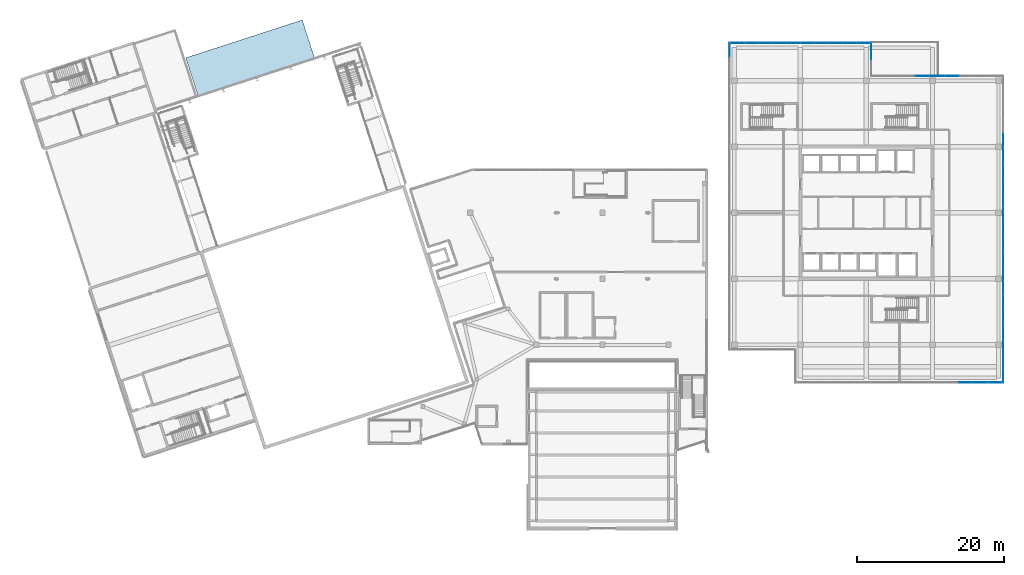
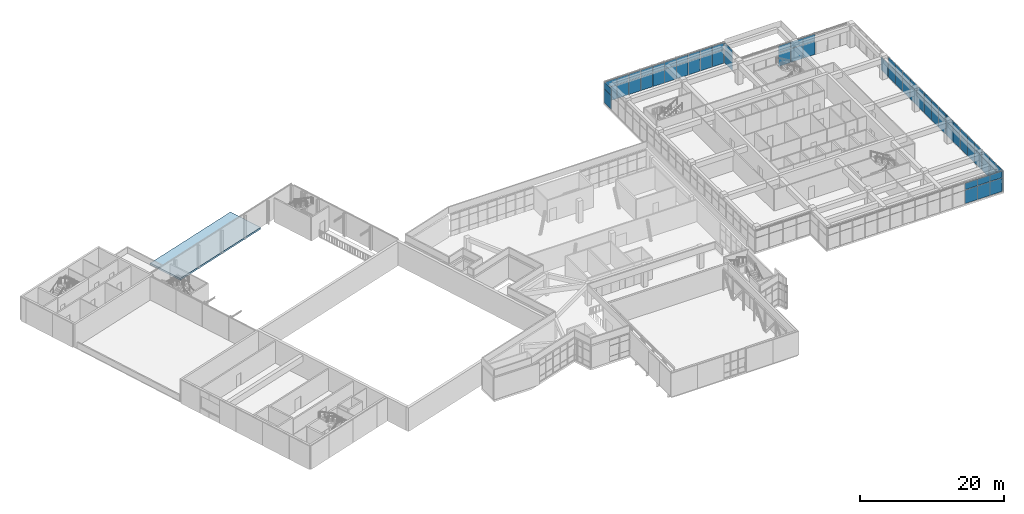
# One storey, part 58 of 72: 69 plates, 1 slab, 6 elements without a shape of their own.
"""IFC4 building model written with IfcOpenShell, lengths in metres."""

from ifc_helpers import new_model, si_unit, direction, frame, origin, origin_2d, place, context, subcontext, project, spatial, polyline, rectangle, outline, extrude, material, layer, layer_set, type_object, element, aggregate, save


model = new_model("IFC4")

# Units and contexts
model_context = context("Model", 3, precision=1e-05, world=origin(), true_north=direction((0.0, 1.0)))
body_context = subcontext(model_context, "Body", "Model", "MODEL_VIEW")
ifc_project = project(units=[si_unit("LENGTHUNIT", "METRE"), si_unit("AREAUNIT", "SQUARE_METRE"), si_unit("VOLUMEUNIT", "CUBIC_METRE"), si_unit("PLANEANGLEUNIT", "RADIAN"), si_unit("MASSUNIT", "GRAM", prefix="KILO")], contexts=[model_context])

# Site, building, storey
site_placement = place(None, origin())
site = spatial("IfcSite", under=ifc_project, at=site_placement, CompositionType="ELEMENT")
building_placement = place(site_placement, origin())
building = spatial("IfcBuilding", under=site, at=building_placement, Name="Tuart Plaza Theatre", CompositionType="ELEMENT")
storey_placement = place(building_placement, frame((0.0, 0.0, 13.5)))
storey = spatial("IfcBuildingStorey", under=building, at=storey_placement, Name="L03", CompositionType="ELEMENT", Elevation=13.5)

# Curtain wall, plates
ifc_material_1 = material(Name="Aluminium and glass", Category="aluminium")
ifc_layer_1 = layer(ifc_material_1, 0.10009765625)
ifc_layer_set_1 = layer_set([ifc_layer_1], Name="CURTAIN WALL 2000 module")
curtain_wall_type = type_object("IfcCurtainWallType", Name="CURTAIN WALL 2000 module", PredefinedType="NOTDEFINED", material=ifc_layer_set_1)
curtain_wall_1_placement = place(storey_placement, origin())
curtain_wall_1 = element("IfcCurtainWall", 1, at=curtain_wall_1_placement, inside=storey, type_object=curtain_wall_type, Name="CW68", PredefinedType="NOTDEFINED")
ifc_material_2 = material(Name="Glass", Category="glass")
ifc_layer_2 = layer(ifc_material_2, 0.028076171875)
ifc_layer_set_2 = layer_set([ifc_layer_2], Name="CURTAIN PANEL double glazed 28")
plate_type = type_object("IfcPlateType", Name="CURTAIN PANEL double glazed 28", PredefinedType="CURTAIN_PANEL", material=ifc_layer_set_2)
plate_1_placement = place(storey_placement, frame((145.5322265625, 50.85009765625, 0.0498046875), z_axis=(0.0, 0.0, 1.0), x_axis=(1.0, 0.0, 0.0)))
plate_1 = element("IfcPlate", 2, at=plate_1_placement, type_object=plate_type, Name="CW68 panel 12.1", PredefinedType="CURTAIN_PANEL", context=body_context, shape_type="SweptSolid", body=[
    extrude(rectangle(XDim=1.95703125, YDim=0.028076171875, at=origin_2d()), origin(), (0.0, 0.0, 1.0), 2.324951171875),
])
plate_2_placement = place(storey_placement, frame((145.5322265625, 50.85009765625, 2.425048828125), z_axis=(0.0, 0.0, 1.0), x_axis=(1.0, 0.0, 0.0)))
plate_2 = element("IfcPlate", 3, at=plate_2_placement, type_object=plate_type, Name="CW68 panel 12.2", PredefinedType="CURTAIN_PANEL", context=body_context, shape_type="SweptSolid", body=[
    extrude(rectangle(XDim=1.95703125, YDim=0.028076171875, at=origin_2d()), origin(), (0.0, 0.0, 1.0), 1.10498046875),
])
plate_3_placement = place(storey_placement, frame((147.539306640625, 50.85009765625, 0.0498046875), z_axis=(0.0, 0.0, 1.0), x_axis=(1.0, 0.0, 0.0)))
plate_3 = element("IfcPlate", 4, at=plate_3_placement, type_object=plate_type, Name="CW68 panel 13.1", PredefinedType="CURTAIN_PANEL", context=body_context, shape_type="SweptSolid", body=[
    extrude(rectangle(XDim=1.95703125, YDim=0.028076171875, at=origin_2d()), origin(), (0.0, 0.0, 1.0), 2.324951171875),
])
plate_4_placement = place(storey_placement, frame((147.539306640625, 50.85009765625, 2.425048828125), z_axis=(0.0, 0.0, 1.0), x_axis=(1.0, 0.0, 0.0)))
plate_4 = element("IfcPlate", 5, at=plate_4_placement, type_object=plate_type, Name="CW68 panel 13.2", PredefinedType="CURTAIN_PANEL", context=body_context, shape_type="SweptSolid", body=[
    extrude(rectangle(XDim=1.95703125, YDim=0.028076171875, at=origin_2d()), origin(), (0.0, 0.0, 1.0), 1.10498046875),
])
plate_5_placement = place(storey_placement, frame((149.533935546875, 50.85009765625, 0.0498046875), z_axis=(0.0, 0.0, 1.0), x_axis=(1.0, 0.0, 0.0)))
plate_5 = element("IfcPlate", 6, at=plate_5_placement, type_object=plate_type, Name="CW68 panel 14.1", PredefinedType="CURTAIN_PANEL", context=body_context, shape_type="SweptSolid", body=[
    extrude(rectangle(XDim=1.93212890625, YDim=0.028076171875, at=origin_2d()), origin(), (0.0, 0.0, 1.0), 2.324951171875),
])
plate_6_placement = place(storey_placement, frame((149.533935546875, 50.85009765625, 2.425048828125), z_axis=(0.0, 0.0, 1.0), x_axis=(1.0, 0.0, 0.0)))
plate_6 = element("IfcPlate", 7, at=plate_6_placement, type_object=plate_type, Name="CW68 panel 14.2", PredefinedType="CURTAIN_PANEL", context=body_context, shape_type="SweptSolid", body=[
    extrude(rectangle(XDim=1.93212890625, YDim=0.028076171875, at=origin_2d()), origin(), (0.0, 0.0, 1.0), 1.10498046875),
])
aggregate(curtain_wall_1, [plate_1, plate_2, plate_3, plate_4, plate_5, plate_6])

curtain_wall_2_placement = place(storey_placement, origin())
curtain_wall_2 = element("IfcCurtainWall", 8, at=curtain_wall_2_placement, inside=storey, type_object=curtain_wall_type, Name="CW69", PredefinedType="NOTDEFINED")
plate_7_placement = place(storey_placement, frame((150.64990234375, 51.762451171875, 0.0498046875), z_axis=(0.0, 0.0, 1.0), x_axis=(0.0, 1.0, 0.0)))
plate_7 = element("IfcPlate", 9, at=plate_7_placement, type_object=plate_type, Name="CW69 panel 1.1", PredefinedType="CURTAIN_PANEL", context=body_context, shape_type="SweptSolid", body=[
    extrude(rectangle(XDim=1.925048828125, YDim=0.028076171875, at=origin_2d()), origin(), (0.0, 0.0, 1.0), 2.324951171875),
])
plate_8_placement = place(storey_placement, frame((150.64990234375, 51.762451171875, 2.425048828125), z_axis=(0.0, 0.0, 1.0), x_axis=(0.0, 1.0, 0.0)))
plate_8 = element("IfcPlate", 10, at=plate_8_placement, type_object=plate_type, Name="CW69 panel 1.2", PredefinedType="CURTAIN_PANEL", context=body_context, shape_type="SweptSolid", body=[
    extrude(rectangle(XDim=1.925048828125, YDim=0.028076171875, at=origin_2d()), origin(), (0.0, 0.0, 1.0), 1.10498046875),
])
plate_9_placement = place(storey_placement, frame((150.64990234375, 53.75, 0.0498046875), z_axis=(0.0, 0.0, 1.0), x_axis=(0.0, 1.0, 0.0)))
plate_9 = element("IfcPlate", 11, at=plate_9_placement, type_object=plate_type, Name="CW69 panel 2.1", PredefinedType="CURTAIN_PANEL", context=body_context, shape_type="SweptSolid", body=[
    extrude(rectangle(XDim=1.949951171875, YDim=0.028076171875, at=origin_2d()), origin(), (0.0, 0.0, 1.0), 2.324951171875),
])
plate_10_placement = place(storey_placement, frame((150.64990234375, 53.75, 2.425048828125), z_axis=(0.0, 0.0, 1.0), x_axis=(0.0, 1.0, 0.0)))
plate_10 = element("IfcPlate", 12, at=plate_10_placement, type_object=plate_type, Name="CW69 panel 2.2", PredefinedType="CURTAIN_PANEL", context=body_context, shape_type="SweptSolid", body=[
    extrude(rectangle(XDim=1.949951171875, YDim=0.028076171875, at=origin_2d()), origin(), (0.0, 0.0, 1.0), 1.10498046875),
])
plate_11_placement = place(storey_placement, frame((150.64990234375, 55.75, 0.0498046875), z_axis=(0.0, 0.0, 1.0), x_axis=(0.0, 1.0, 0.0)))
plate_11 = element("IfcPlate", 13, at=plate_11_placement, type_object=plate_type, Name="CW69 panel 3.1", PredefinedType="CURTAIN_PANEL", context=body_context, shape_type="SweptSolid", body=[
    extrude(rectangle(XDim=1.949951171875, YDim=0.028076171875, at=origin_2d()), origin(), (0.0, 0.0, 1.0), 2.324951171875),
])
plate_12_placement = place(storey_placement, frame((150.64990234375, 55.75, 2.425048828125), z_axis=(0.0, 0.0, 1.0), x_axis=(0.0, 1.0, 0.0)))
plate_12 = element("IfcPlate", 14, at=plate_12_placement, type_object=plate_type, Name="CW69 panel 3.2", PredefinedType="CURTAIN_PANEL", context=body_context, shape_type="SweptSolid", body=[
    extrude(rectangle(XDim=1.949951171875, YDim=0.028076171875, at=origin_2d()), origin(), (0.0, 0.0, 1.0), 1.10498046875),
])
plate_13_placement = place(storey_placement, frame((150.64990234375, 57.75, 0.0498046875), z_axis=(0.0, 0.0, 1.0), x_axis=(0.0, 1.0, 0.0)))
plate_13 = element("IfcPlate", 15, at=plate_13_placement, type_object=plate_type, Name="CW69 panel 4.1", PredefinedType="CURTAIN_PANEL", context=body_context, shape_type="SweptSolid", body=[
    extrude(rectangle(XDim=1.949951171875, YDim=0.028076171875, at=origin_2d()), origin(), (0.0, 0.0, 1.0), 2.324951171875),
])
plate_14_placement = place(storey_placement, frame((150.64990234375, 57.75, 2.425048828125), z_axis=(0.0, 0.0, 1.0), x_axis=(0.0, 1.0, 0.0)))
plate_14 = element("IfcPlate", 16, at=plate_14_placement, type_object=plate_type, Name="CW69 panel 4.2", PredefinedType="CURTAIN_PANEL", context=body_context, shape_type="SweptSolid", body=[
    extrude(rectangle(XDim=1.949951171875, YDim=0.028076171875, at=origin_2d()), origin(), (0.0, 0.0, 1.0), 1.10498046875),
])
plate_15_placement = place(storey_placement, frame((150.64990234375, 59.75, 0.0498046875), z_axis=(0.0, 0.0, 1.0), x_axis=(0.0, 1.0, 0.0)))
plate_15 = element("IfcPlate", 17, at=plate_15_placement, type_object=plate_type, Name="CW69 panel 5.1", PredefinedType="CURTAIN_PANEL", context=body_context, shape_type="SweptSolid", body=[
    extrude(rectangle(XDim=1.949951171875, YDim=0.028076171875, at=origin_2d()), origin(), (0.0, 0.0, 1.0), 2.324951171875),
])
plate_16_placement = place(storey_placement, frame((150.64990234375, 59.75, 2.425048828125), z_axis=(0.0, 0.0, 1.0), x_axis=(0.0, 1.0, 0.0)))
plate_16 = element("IfcPlate", 18, at=plate_16_placement, type_object=plate_type, Name="CW69 panel 5.2", PredefinedType="CURTAIN_PANEL", context=body_context, shape_type="SweptSolid", body=[
    extrude(rectangle(XDim=1.949951171875, YDim=0.028076171875, at=origin_2d()), origin(), (0.0, 0.0, 1.0), 1.10498046875),
])
plate_17_placement = place(storey_placement, frame((150.64990234375, 61.75, 0.0498046875), z_axis=(0.0, 0.0, 1.0), x_axis=(0.0, 1.0, 0.0)))
plate_17 = element("IfcPlate", 19, at=plate_17_placement, type_object=plate_type, Name="CW69 panel 6.1", PredefinedType="CURTAIN_PANEL", context=body_context, shape_type="SweptSolid", body=[
    extrude(rectangle(XDim=1.949951171875, YDim=0.028076171875, at=origin_2d()), origin(), (0.0, 0.0, 1.0), 2.324951171875),
])
plate_18_placement = place(storey_placement, frame((150.64990234375, 61.75, 2.425048828125), z_axis=(0.0, 0.0, 1.0), x_axis=(0.0, 1.0, 0.0)))
plate_18 = element("IfcPlate", 20, at=plate_18_placement, type_object=plate_type, Name="CW69 panel 6.2", PredefinedType="CURTAIN_PANEL", context=body_context, shape_type="SweptSolid", body=[
    extrude(rectangle(XDim=1.949951171875, YDim=0.028076171875, at=origin_2d()), origin(), (0.0, 0.0, 1.0), 1.10498046875),
])
plate_19_placement = place(storey_placement, frame((150.64990234375, 63.75, 0.0498046875), z_axis=(0.0, 0.0, 1.0), x_axis=(0.0, 1.0, 0.0)))
plate_19 = element("IfcPlate", 21, at=plate_19_placement, type_object=plate_type, Name="CW69 panel 7.1", PredefinedType="CURTAIN_PANEL", context=body_context, shape_type="SweptSolid", body=[
    extrude(rectangle(XDim=1.949951171875, YDim=0.028076171875, at=origin_2d()), origin(), (0.0, 0.0, 1.0), 2.324951171875),
])
plate_20_placement = place(storey_placement, frame((150.64990234375, 63.75, 2.425048828125), z_axis=(0.0, 0.0, 1.0), x_axis=(0.0, 1.0, 0.0)))
plate_20 = element("IfcPlate", 22, at=plate_20_placement, type_object=plate_type, Name="CW69 panel 7.2", PredefinedType="CURTAIN_PANEL", context=body_context, shape_type="SweptSolid", body=[
    extrude(rectangle(XDim=1.949951171875, YDim=0.028076171875, at=origin_2d()), origin(), (0.0, 0.0, 1.0), 1.10498046875),
])
plate_21_placement = place(storey_placement, frame((150.64990234375, 65.75, 0.0498046875), z_axis=(0.0, 0.0, 1.0), x_axis=(0.0, 1.0, 0.0)))
plate_21 = element("IfcPlate", 23, at=plate_21_placement, type_object=plate_type, Name="CW69 panel 8.1", PredefinedType="CURTAIN_PANEL", context=body_context, shape_type="SweptSolid", body=[
    extrude(rectangle(XDim=1.949951171875, YDim=0.028076171875, at=origin_2d()), origin(), (0.0, 0.0, 1.0), 2.324951171875),
])
plate_22_placement = place(storey_placement, frame((150.64990234375, 65.75, 2.425048828125), z_axis=(0.0, 0.0, 1.0), x_axis=(0.0, 1.0, 0.0)))
plate_22 = element("IfcPlate", 24, at=plate_22_placement, type_object=plate_type, Name="CW69 panel 8.2", PredefinedType="CURTAIN_PANEL", context=body_context, shape_type="SweptSolid", body=[
    extrude(rectangle(XDim=1.949951171875, YDim=0.028076171875, at=origin_2d()), origin(), (0.0, 0.0, 1.0), 1.10498046875),
])
plate_23_placement = place(storey_placement, frame((150.64990234375, 67.75, 0.0498046875), z_axis=(0.0, 0.0, 1.0), x_axis=(0.0, 1.0, 0.0)))
plate_23 = element("IfcPlate", 25, at=plate_23_placement, type_object=plate_type, Name="CW69 panel 9.1", PredefinedType="CURTAIN_PANEL", context=body_context, shape_type="SweptSolid", body=[
    extrude(rectangle(XDim=1.949951171875, YDim=0.028076171875, at=origin_2d()), origin(), (0.0, 0.0, 1.0), 2.324951171875),
])
plate_24_placement = place(storey_placement, frame((150.64990234375, 67.75, 2.425048828125), z_axis=(0.0, 0.0, 1.0), x_axis=(0.0, 1.0, 0.0)))
plate_24 = element("IfcPlate", 26, at=plate_24_placement, type_object=plate_type, Name="CW69 panel 9.2", PredefinedType="CURTAIN_PANEL", context=body_context, shape_type="SweptSolid", body=[
    extrude(rectangle(XDim=1.949951171875, YDim=0.028076171875, at=origin_2d()), origin(), (0.0, 0.0, 1.0), 1.10498046875),
])
plate_25_placement = place(storey_placement, frame((150.64990234375, 69.75, 0.0498046875), z_axis=(0.0, 0.0, 1.0), x_axis=(0.0, 1.0, 0.0)))
plate_25 = element("IfcPlate", 27, at=plate_25_placement, type_object=plate_type, Name="CW69 panel 10.1", PredefinedType="CURTAIN_PANEL", context=body_context, shape_type="SweptSolid", body=[
    extrude(rectangle(XDim=1.949951171875, YDim=0.028076171875, at=origin_2d()), origin(), (0.0, 0.0, 1.0), 2.324951171875),
])
plate_26_placement = place(storey_placement, frame((150.64990234375, 69.75, 2.425048828125), z_axis=(0.0, 0.0, 1.0), x_axis=(0.0, 1.0, 0.0)))
plate_26 = element("IfcPlate", 28, at=plate_26_placement, type_object=plate_type, Name="CW69 panel 10.2", PredefinedType="CURTAIN_PANEL", context=body_context, shape_type="SweptSolid", body=[
    extrude(rectangle(XDim=1.949951171875, YDim=0.028076171875, at=origin_2d()), origin(), (0.0, 0.0, 1.0), 1.10498046875),
])
plate_27_placement = place(storey_placement, frame((150.64990234375, 71.75, 0.0498046875), z_axis=(0.0, 0.0, 1.0), x_axis=(0.0, 1.0, 0.0)))
plate_27 = element("IfcPlate", 29, at=plate_27_placement, type_object=plate_type, Name="CW69 panel 11.1", PredefinedType="CURTAIN_PANEL", context=body_context, shape_type="SweptSolid", body=[
    extrude(rectangle(XDim=1.949951171875, YDim=0.028076171875, at=origin_2d()), origin(), (0.0, 0.0, 1.0), 2.324951171875),
])
plate_28_placement = place(storey_placement, frame((150.64990234375, 71.75, 2.425048828125), z_axis=(0.0, 0.0, 1.0), x_axis=(0.0, 1.0, 0.0)))
plate_28 = element("IfcPlate", 30, at=plate_28_placement, type_object=plate_type, Name="CW69 panel 11.2", PredefinedType="CURTAIN_PANEL", context=body_context, shape_type="SweptSolid", body=[
    extrude(rectangle(XDim=1.949951171875, YDim=0.028076171875, at=origin_2d()), origin(), (0.0, 0.0, 1.0), 1.10498046875),
])
plate_29_placement = place(storey_placement, frame((150.64990234375, 73.75, 0.0498046875), z_axis=(0.0, 0.0, 1.0), x_axis=(0.0, 1.0, 0.0)))
plate_29 = element("IfcPlate", 31, at=plate_29_placement, type_object=plate_type, Name="CW69 panel 12.1", PredefinedType="CURTAIN_PANEL", context=body_context, shape_type="SweptSolid", body=[
    extrude(rectangle(XDim=1.949951171875, YDim=0.028076171875, at=origin_2d()), origin(), (0.0, 0.0, 1.0), 2.324951171875),
])
plate_30_placement = place(storey_placement, frame((150.64990234375, 73.75, 2.425048828125), z_axis=(0.0, 0.0, 1.0), x_axis=(0.0, 1.0, 0.0)))
plate_30 = element("IfcPlate", 32, at=plate_30_placement, type_object=plate_type, Name="CW69 panel 12.2", PredefinedType="CURTAIN_PANEL", context=body_context, shape_type="SweptSolid", body=[
    extrude(rectangle(XDim=1.949951171875, YDim=0.028076171875, at=origin_2d()), origin(), (0.0, 0.0, 1.0), 1.10498046875),
])
plate_31_placement = place(storey_placement, frame((150.64990234375, 75.75, 0.0498046875), z_axis=(0.0, 0.0, 1.0), x_axis=(0.0, 1.0, 0.0)))
plate_31 = element("IfcPlate", 33, at=plate_31_placement, type_object=plate_type, Name="CW69 panel 13.1", PredefinedType="CURTAIN_PANEL", context=body_context, shape_type="SweptSolid", body=[
    extrude(rectangle(XDim=1.949951171875, YDim=0.028076171875, at=origin_2d()), origin(), (0.0, 0.0, 1.0), 2.324951171875),
])
plate_32_placement = place(storey_placement, frame((150.64990234375, 75.75, 2.425048828125), z_axis=(0.0, 0.0, 1.0), x_axis=(0.0, 1.0, 0.0)))
plate_32 = element("IfcPlate", 34, at=plate_32_placement, type_object=plate_type, Name="CW69 panel 13.2", PredefinedType="CURTAIN_PANEL", context=body_context, shape_type="SweptSolid", body=[
    extrude(rectangle(XDim=1.949951171875, YDim=0.028076171875, at=origin_2d()), origin(), (0.0, 0.0, 1.0), 1.10498046875),
])
plate_33_placement = place(storey_placement, frame((150.64990234375, 77.75, 0.0498046875), z_axis=(0.0, 0.0, 1.0), x_axis=(0.0, 1.0, 0.0)))
plate_33 = element("IfcPlate", 35, at=plate_33_placement, type_object=plate_type, Name="CW69 panel 14.1", PredefinedType="CURTAIN_PANEL", context=body_context, shape_type="SweptSolid", body=[
    extrude(rectangle(XDim=1.949951171875, YDim=0.028076171875, at=origin_2d()), origin(), (0.0, 0.0, 1.0), 2.324951171875),
])
plate_34_placement = place(storey_placement, frame((150.64990234375, 77.75, 2.425048828125), z_axis=(0.0, 0.0, 1.0), x_axis=(0.0, 1.0, 0.0)))
plate_34 = element("IfcPlate", 36, at=plate_34_placement, type_object=plate_type, Name="CW69 panel 14.2", PredefinedType="CURTAIN_PANEL", context=body_context, shape_type="SweptSolid", body=[
    extrude(rectangle(XDim=1.949951171875, YDim=0.028076171875, at=origin_2d()), origin(), (0.0, 0.0, 1.0), 1.10498046875),
])
plate_35_placement = place(storey_placement, frame((150.64990234375, 79.75, 0.0498046875), z_axis=(0.0, 0.0, 1.0), x_axis=(0.0, 1.0, 0.0)))
plate_35 = element("IfcPlate", 37, at=plate_35_placement, type_object=plate_type, Name="CW69 panel 15.1", PredefinedType="CURTAIN_PANEL", context=body_context, shape_type="SweptSolid", body=[
    extrude(rectangle(XDim=1.949951171875, YDim=0.028076171875, at=origin_2d()), origin(), (0.0, 0.0, 1.0), 2.324951171875),
])
plate_36_placement = place(storey_placement, frame((150.64990234375, 79.75, 2.425048828125), z_axis=(0.0, 0.0, 1.0), x_axis=(0.0, 1.0, 0.0)))
plate_36 = element("IfcPlate", 38, at=plate_36_placement, type_object=plate_type, Name="CW69 panel 15.2", PredefinedType="CURTAIN_PANEL", context=body_context, shape_type="SweptSolid", body=[
    extrude(rectangle(XDim=1.949951171875, YDim=0.028076171875, at=origin_2d()), origin(), (0.0, 0.0, 1.0), 1.10498046875),
])
plate_37_placement = place(storey_placement, frame((150.64990234375, 81.75, 0.0498046875), z_axis=(0.0, 0.0, 1.0), x_axis=(0.0, 1.0, 0.0)))
plate_37 = element("IfcPlate", 39, at=plate_37_placement, type_object=plate_type, Name="CW69 panel 16.1", PredefinedType="CURTAIN_PANEL", context=body_context, shape_type="SweptSolid", body=[
    extrude(rectangle(XDim=1.949951171875, YDim=0.028076171875, at=origin_2d()), origin(), (0.0, 0.0, 1.0), 2.324951171875),
])
plate_38_placement = place(storey_placement, frame((150.64990234375, 81.75, 2.425048828125), z_axis=(0.0, 0.0, 1.0), x_axis=(0.0, 1.0, 0.0)))
plate_38 = element("IfcPlate", 40, at=plate_38_placement, type_object=plate_type, Name="CW69 panel 16.2", PredefinedType="CURTAIN_PANEL", context=body_context, shape_type="SweptSolid", body=[
    extrude(rectangle(XDim=1.949951171875, YDim=0.028076171875, at=origin_2d()), origin(), (0.0, 0.0, 1.0), 1.10498046875),
])
plate_39_placement = place(storey_placement, frame((150.64990234375, 83.75, 0.0498046875), z_axis=(0.0, 0.0, 1.0), x_axis=(0.0, 1.0, 0.0)))
plate_39 = element("IfcPlate", 41, at=plate_39_placement, type_object=plate_type, Name="CW69 panel 17.1", PredefinedType="CURTAIN_PANEL", context=body_context, shape_type="SweptSolid", body=[
    extrude(rectangle(XDim=1.949951171875, YDim=0.028076171875, at=origin_2d()), origin(), (0.0, 0.0, 1.0), 2.324951171875),
])
aggregate(curtain_wall_2, [plate_7, plate_8, plate_9, plate_10, plate_11, plate_12, plate_13, plate_14, plate_15, plate_16, plate_17, plate_18, plate_19, plate_20, plate_21, plate_22, plate_23, plate_24, plate_25, plate_26, plate_27, plate_28, plate_29, plate_30, plate_31, plate_32, plate_33, plate_34, plate_35, plate_36, plate_37, plate_38, plate_39])

curtain_wall_3_placement = place(storey_placement, origin())
curtain_wall_3 = element("IfcCurtainWall", 42, at=curtain_wall_3_placement, inside=storey, type_object=curtain_wall_type, Name="CW70", PredefinedType="NOTDEFINED")
plate_40_placement = place(storey_placement, frame((143.627685546875, 92.64990234375, 0.0498046875), z_axis=(0.0, 0.0, 1.0), x_axis=(-1.0, 0.0, 0.0)))
plate_40 = element("IfcPlate", 43, at=plate_40_placement, type_object=plate_type, Name="CW70 panel 4.1", PredefinedType="CURTAIN_PANEL", context=body_context, shape_type="SweptSolid", body=[
    extrude(rectangle(XDim=1.927734375, YDim=0.028076171875, at=origin_2d()), origin(), (0.0, 0.0, 1.0), 2.324951171875),
])
plate_41_placement = place(storey_placement, frame((143.627685546875, 92.64990234375, 2.425048828125), z_axis=(0.0, 0.0, 1.0), x_axis=(-1.0, 0.0, 0.0)))
plate_41 = element("IfcPlate", 44, at=plate_41_placement, type_object=plate_type, Name="CW70 panel 4.2", PredefinedType="CURTAIN_PANEL", context=body_context, shape_type="SweptSolid", body=[
    extrude(rectangle(XDim=1.927734375, YDim=0.028076171875, at=origin_2d()), origin(), (0.0, 0.0, 1.0), 1.10498046875),
])
plate_42_placement = place(storey_placement, frame((141.64990234375, 92.64990234375, 0.0498046875), z_axis=(0.0, 0.0, 1.0), x_axis=(-1.0, 0.0, 0.0)))
plate_42 = element("IfcPlate", 45, at=plate_42_placement, type_object=plate_type, Name="CW70 panel 5.1", PredefinedType="CURTAIN_PANEL", context=body_context, shape_type="SweptSolid", body=[
    extrude(rectangle(XDim=1.927734375, YDim=0.028076171875, at=origin_2d()), origin(), (0.0, 0.0, 1.0), 2.324951171875),
])
plate_43_placement = place(storey_placement, frame((141.64990234375, 92.64990234375, 2.425048828125), z_axis=(0.0, 0.0, 1.0), x_axis=(-1.0, 0.0, 0.0)))
plate_43 = element("IfcPlate", 46, at=plate_43_placement, type_object=plate_type, Name="CW70 panel 5.2", PredefinedType="CURTAIN_PANEL", context=body_context, shape_type="SweptSolid", body=[
    extrude(rectangle(XDim=1.927734375, YDim=0.028076171875, at=origin_2d()), origin(), (0.0, 0.0, 1.0), 1.10498046875),
])
plate_44_placement = place(storey_placement, frame((139.672119140625, 92.64990234375, 0.0498046875), z_axis=(0.0, 0.0, 1.0), x_axis=(-1.0, 0.0, 0.0)))
plate_44 = element("IfcPlate", 47, at=plate_44_placement, type_object=plate_type, Name="CW70 panel 6.1", PredefinedType="CURTAIN_PANEL", context=body_context, shape_type="SweptSolid", body=[
    extrude(rectangle(XDim=1.927734375, YDim=0.028076171875, at=origin_2d()), origin(), (0.0, 0.0, 1.0), 2.324951171875),
])
plate_45_placement = place(storey_placement, frame((139.672119140625, 92.64990234375, 2.425048828125), z_axis=(0.0, 0.0, 1.0), x_axis=(-1.0, 0.0, 0.0)))
plate_45 = element("IfcPlate", 48, at=plate_45_placement, type_object=plate_type, Name="CW70 panel 6.2", PredefinedType="CURTAIN_PANEL", context=body_context, shape_type="SweptSolid", body=[
    extrude(rectangle(XDim=1.927734375, YDim=0.028076171875, at=origin_2d()), origin(), (0.0, 0.0, 1.0), 1.10498046875),
])
aggregate(curtain_wall_3, [plate_40, plate_41, plate_42, plate_43, plate_44, plate_45])

curtain_wall_4_placement = place(storey_placement, origin())
curtain_wall_4 = element("IfcCurtainWall", 49, at=curtain_wall_4_placement, inside=storey, type_object=curtain_wall_type, Name="CW71", PredefinedType="NOTDEFINED")
plate_46_placement = place(storey_placement, frame((132.64990234375, 96.0625, 0.0498046875), z_axis=(0.0, 0.0, 1.0), x_axis=(0.0, 1.0, 0.0)))
plate_46 = element("IfcPlate", 50, at=plate_46_placement, type_object=plate_type, Name="CW71 panel 2.1", PredefinedType="CURTAIN_PANEL", context=body_context, shape_type="SweptSolid", body=[
    extrude(rectangle(XDim=2.27490234375, YDim=0.028076171875, at=origin_2d()), origin(), (0.0, 0.0, 1.0), 2.324951171875),
])
plate_47_placement = place(storey_placement, frame((132.64990234375, 96.0625, 2.425048828125), z_axis=(0.0, 0.0, 1.0), x_axis=(0.0, 1.0, 0.0)))
plate_47 = element("IfcPlate", 51, at=plate_47_placement, type_object=plate_type, Name="CW71 panel 2.2", PredefinedType="CURTAIN_PANEL", context=body_context, shape_type="SweptSolid", body=[
    extrude(rectangle(XDim=2.27490234375, YDim=0.028076171875, at=origin_2d()), origin(), (0.0, 0.0, 1.0), 1.10498046875),
])
aggregate(curtain_wall_4, [plate_46, plate_47])

curtain_wall_5_placement = place(storey_placement, origin())
curtain_wall_5 = element("IfcCurtainWall", 52, at=curtain_wall_5_placement, inside=storey, type_object=curtain_wall_type, Name="CW72", PredefinedType="NOTDEFINED")
plate_48_placement = place(storey_placement, frame((131.58251953125, 97.14990234375, 0.0498046875), z_axis=(0.0, 0.0, 1.0), x_axis=(-1.0, 0.0, 0.0)))
plate_48 = element("IfcPlate", 53, at=plate_48_placement, type_object=plate_type, Name="CW72 panel 1.1", PredefinedType="CURTAIN_PANEL", context=body_context, shape_type="SweptSolid", body=[
    extrude(rectangle(XDim=1.8349609375, YDim=0.028076171875, at=origin_2d()), origin(), (0.0, 0.0, 1.0), 2.324951171875),
])
plate_49_placement = place(storey_placement, frame((131.58251953125, 97.14990234375, 2.425048828125), z_axis=(0.0, 0.0, 1.0), x_axis=(-1.0, 0.0, 0.0)))
plate_49 = element("IfcPlate", 54, at=plate_49_placement, type_object=plate_type, Name="CW72 panel 1.2", PredefinedType="CURTAIN_PANEL", context=body_context, shape_type="SweptSolid", body=[
    extrude(rectangle(XDim=1.8349609375, YDim=0.028076171875, at=origin_2d()), origin(), (0.0, 0.0, 1.0), 1.10498046875),
])
plate_50_placement = place(storey_placement, frame((129.68505859375, 97.14990234375, 0.0498046875), z_axis=(0.0, 0.0, 1.0), x_axis=(-1.0, 0.0, 0.0)))
plate_50 = element("IfcPlate", 55, at=plate_50_placement, type_object=plate_type, Name="CW72 panel 2.1", PredefinedType="CURTAIN_PANEL", context=body_context, shape_type="SweptSolid", body=[
    extrude(rectangle(XDim=1.860107421875, YDim=0.028076171875, at=origin_2d()), origin(), (0.0, 0.0, 1.0), 2.324951171875),
])
plate_51_placement = place(storey_placement, frame((129.68505859375, 97.14990234375, 2.425048828125), z_axis=(0.0, 0.0, 1.0), x_axis=(-1.0, 0.0, 0.0)))
plate_51 = element("IfcPlate", 56, at=plate_51_placement, type_object=plate_type, Name="CW72 panel 2.2", PredefinedType="CURTAIN_PANEL", context=body_context, shape_type="SweptSolid", body=[
    extrude(rectangle(XDim=1.860107421875, YDim=0.028076171875, at=origin_2d()), origin(), (0.0, 0.0, 1.0), 1.10498046875),
])
plate_52_placement = place(storey_placement, frame((127.77490234375, 97.14990234375, 0.0498046875), z_axis=(0.0, 0.0, 1.0), x_axis=(-1.0, 0.0, 0.0)))
plate_52 = element("IfcPlate", 57, at=plate_52_placement, type_object=plate_type, Name="CW72 panel 3.1", PredefinedType="CURTAIN_PANEL", context=body_context, shape_type="SweptSolid", body=[
    extrude(rectangle(XDim=1.860107421875, YDim=0.028076171875, at=origin_2d()), origin(), (0.0, 0.0, 1.0), 2.324951171875),
])
plate_53_placement = place(storey_placement, frame((127.77490234375, 97.14990234375, 2.425048828125), z_axis=(0.0, 0.0, 1.0), x_axis=(-1.0, 0.0, 0.0)))
plate_53 = element("IfcPlate", 58, at=plate_53_placement, type_object=plate_type, Name="CW72 panel 3.2", PredefinedType="CURTAIN_PANEL", context=body_context, shape_type="SweptSolid", body=[
    extrude(rectangle(XDim=1.860107421875, YDim=0.028076171875, at=origin_2d()), origin(), (0.0, 0.0, 1.0), 1.10498046875),
])
plate_54_placement = place(storey_placement, frame((125.864990234375, 97.14990234375, 0.0498046875), z_axis=(0.0, 0.0, 1.0), x_axis=(-1.0, 0.0, 0.0)))
plate_54 = element("IfcPlate", 59, at=plate_54_placement, type_object=plate_type, Name="CW72 panel 4.1", PredefinedType="CURTAIN_PANEL", context=body_context, shape_type="SweptSolid", body=[
    extrude(rectangle(XDim=1.860107421875, YDim=0.028076171875, at=origin_2d()), origin(), (0.0, 0.0, 1.0), 2.324951171875),
])
plate_55_placement = place(storey_placement, frame((125.864990234375, 97.14990234375, 2.425048828125), z_axis=(0.0, 0.0, 1.0), x_axis=(-1.0, 0.0, 0.0)))
plate_55 = element("IfcPlate", 60, at=plate_55_placement, type_object=plate_type, Name="CW72 panel 4.2", PredefinedType="CURTAIN_PANEL", context=body_context, shape_type="SweptSolid", body=[
    extrude(rectangle(XDim=1.860107421875, YDim=0.028076171875, at=origin_2d()), origin(), (0.0, 0.0, 1.0), 1.10498046875),
])
plate_56_placement = place(storey_placement, frame((123.955078125, 97.14990234375, 0.0498046875), z_axis=(0.0, 0.0, 1.0), x_axis=(-1.0, 0.0, 0.0)))
plate_56 = element("IfcPlate", 61, at=plate_56_placement, type_object=plate_type, Name="CW72 panel 5.1", PredefinedType="CURTAIN_PANEL", context=body_context, shape_type="SweptSolid", body=[
    extrude(rectangle(XDim=1.860107421875, YDim=0.028076171875, at=origin_2d()), origin(), (0.0, 0.0, 1.0), 2.324951171875),
])
plate_57_placement = place(storey_placement, frame((123.955078125, 97.14990234375, 2.425048828125), z_axis=(0.0, 0.0, 1.0), x_axis=(-1.0, 0.0, 0.0)))
plate_57 = element("IfcPlate", 62, at=plate_57_placement, type_object=plate_type, Name="CW72 panel 5.2", PredefinedType="CURTAIN_PANEL", context=body_context, shape_type="SweptSolid", body=[
    extrude(rectangle(XDim=1.860107421875, YDim=0.028076171875, at=origin_2d()), origin(), (0.0, 0.0, 1.0), 1.10498046875),
])
plate_58_placement = place(storey_placement, frame((122.044921875, 97.14990234375, 0.0498046875), z_axis=(0.0, 0.0, 1.0), x_axis=(-1.0, 0.0, 0.0)))
plate_58 = element("IfcPlate", 63, at=plate_58_placement, type_object=plate_type, Name="CW72 panel 6.1", PredefinedType="CURTAIN_PANEL", context=body_context, shape_type="SweptSolid", body=[
    extrude(rectangle(XDim=1.860107421875, YDim=0.028076171875, at=origin_2d()), origin(), (0.0, 0.0, 1.0), 2.324951171875),
])
plate_59_placement = place(storey_placement, frame((122.044921875, 97.14990234375, 2.425048828125), z_axis=(0.0, 0.0, 1.0), x_axis=(-1.0, 0.0, 0.0)))
plate_59 = element("IfcPlate", 64, at=plate_59_placement, type_object=plate_type, Name="CW72 panel 6.2", PredefinedType="CURTAIN_PANEL", context=body_context, shape_type="SweptSolid", body=[
    extrude(rectangle(XDim=1.860107421875, YDim=0.028076171875, at=origin_2d()), origin(), (0.0, 0.0, 1.0), 1.10498046875),
])
plate_60_placement = place(storey_placement, frame((120.135009765625, 97.14990234375, 0.0498046875), z_axis=(0.0, 0.0, 1.0), x_axis=(-1.0, 0.0, 0.0)))
plate_60 = element("IfcPlate", 65, at=plate_60_placement, type_object=plate_type, Name="CW72 panel 7.1", PredefinedType="CURTAIN_PANEL", context=body_context, shape_type="SweptSolid", body=[
    extrude(rectangle(XDim=1.860107421875, YDim=0.028076171875, at=origin_2d()), origin(), (0.0, 0.0, 1.0), 2.324951171875),
])
plate_61_placement = place(storey_placement, frame((120.135009765625, 97.14990234375, 2.425048828125), z_axis=(0.0, 0.0, 1.0), x_axis=(-1.0, 0.0, 0.0)))
plate_61 = element("IfcPlate", 66, at=plate_61_placement, type_object=plate_type, Name="CW72 panel 7.2", PredefinedType="CURTAIN_PANEL", context=body_context, shape_type="SweptSolid", body=[
    extrude(rectangle(XDim=1.860107421875, YDim=0.028076171875, at=origin_2d()), origin(), (0.0, 0.0, 1.0), 1.10498046875),
])
plate_62_placement = place(storey_placement, frame((118.22509765625, 97.14990234375, 0.0498046875), z_axis=(0.0, 0.0, 1.0), x_axis=(-1.0, 0.0, 0.0)))
plate_62 = element("IfcPlate", 67, at=plate_62_placement, type_object=plate_type, Name="CW72 panel 8.1", PredefinedType="CURTAIN_PANEL", context=body_context, shape_type="SweptSolid", body=[
    extrude(rectangle(XDim=1.860107421875, YDim=0.028076171875, at=origin_2d()), origin(), (0.0, 0.0, 1.0), 2.324951171875),
])
plate_63_placement = place(storey_placement, frame((118.22509765625, 97.14990234375, 2.425048828125), z_axis=(0.0, 0.0, 1.0), x_axis=(-1.0, 0.0, 0.0)))
plate_63 = element("IfcPlate", 68, at=plate_63_placement, type_object=plate_type, Name="CW72 panel 8.2", PredefinedType="CURTAIN_PANEL", context=body_context, shape_type="SweptSolid", body=[
    extrude(rectangle(XDim=1.860107421875, YDim=0.028076171875, at=origin_2d()), origin(), (0.0, 0.0, 1.0), 1.10498046875),
])
plate_64_placement = place(storey_placement, frame((116.31494140625, 97.14990234375, 0.0498046875), z_axis=(0.0, 0.0, 1.0), x_axis=(-1.0, 0.0, 0.0)))
plate_64 = element("IfcPlate", 69, at=plate_64_placement, type_object=plate_type, Name="CW72 panel 9.1", PredefinedType="CURTAIN_PANEL", context=body_context, shape_type="SweptSolid", body=[
    extrude(rectangle(XDim=1.860107421875, YDim=0.028076171875, at=origin_2d()), origin(), (0.0, 0.0, 1.0), 2.324951171875),
])
plate_65_placement = place(storey_placement, frame((116.31494140625, 97.14990234375, 2.425048828125), z_axis=(0.0, 0.0, 1.0), x_axis=(-1.0, 0.0, 0.0)))
plate_65 = element("IfcPlate", 70, at=plate_65_placement, type_object=plate_type, Name="CW72 panel 9.2", PredefinedType="CURTAIN_PANEL", context=body_context, shape_type="SweptSolid", body=[
    extrude(rectangle(XDim=1.860107421875, YDim=0.028076171875, at=origin_2d()), origin(), (0.0, 0.0, 1.0), 1.10498046875),
])
plate_66_placement = place(storey_placement, frame((114.41748046875, 97.14990234375, 0.0498046875), z_axis=(0.0, 0.0, 1.0), x_axis=(-1.0, 0.0, 0.0)))
plate_66 = element("IfcPlate", 71, at=plate_66_placement, type_object=plate_type, Name="CW72 panel 10.1", PredefinedType="CURTAIN_PANEL", context=body_context, shape_type="SweptSolid", body=[
    extrude(rectangle(XDim=1.8349609375, YDim=0.028076171875, at=origin_2d()), origin(), (0.0, 0.0, 1.0), 2.324951171875),
])
plate_67_placement = place(storey_placement, frame((114.41748046875, 97.14990234375, 2.425048828125), z_axis=(0.0, 0.0, 1.0), x_axis=(-1.0, 0.0, 0.0)))
plate_67 = element("IfcPlate", 72, at=plate_67_placement, type_object=plate_type, Name="CW72 panel 10.2", PredefinedType="CURTAIN_PANEL", context=body_context, shape_type="SweptSolid", body=[
    extrude(rectangle(XDim=1.8349609375, YDim=0.028076171875, at=origin_2d()), origin(), (0.0, 0.0, 1.0), 1.10498046875),
])
aggregate(curtain_wall_5, [plate_48, plate_49, plate_50, plate_51, plate_52, plate_53, plate_54, plate_55, plate_56, plate_57, plate_58, plate_59, plate_60, plate_61, plate_62, plate_63, plate_64, plate_65, plate_66, plate_67])

curtain_wall_6_placement = place(storey_placement, origin())
curtain_wall_6 = element("IfcCurtainWall", 73, at=curtain_wall_6_placement, inside=storey, type_object=curtain_wall_type, Name="CW73", PredefinedType="NOTDEFINED")
plate_68_placement = place(storey_placement, frame((113.35009765625, 96.237548828125, 0.0498046875), z_axis=(0.0, 0.0, 1.0), x_axis=(0.0, -1.0, 0.0)))
plate_68 = element("IfcPlate", 74, at=plate_68_placement, type_object=plate_type, Name="CW73 panel 1.1", PredefinedType="CURTAIN_PANEL", context=body_context, shape_type="SweptSolid", body=[
    extrude(rectangle(XDim=1.925048828125, YDim=0.028076171875, at=origin_2d()), origin(), (0.0, 0.0, 1.0), 2.324951171875),
])
plate_69_placement = place(storey_placement, frame((113.35009765625, 96.237548828125, 2.425048828125), z_axis=(0.0, 0.0, 1.0), x_axis=(0.0, -1.0, 0.0)))
plate_69 = element("IfcPlate", 75, at=plate_69_placement, type_object=plate_type, Name="CW73 panel 1.2", PredefinedType="CURTAIN_PANEL", context=body_context, shape_type="SweptSolid", body=[
    extrude(rectangle(XDim=1.925048828125, YDim=0.028076171875, at=origin_2d()), origin(), (0.0, 0.0, 1.0), 1.10498046875),
])
aggregate(curtain_wall_6, [plate_68, plate_69])

# Slab
ifc_material_3 = material(Name="Concrete N40 (40 MPa)", Category="concrete")
ifc_layer_3 = layer(ifc_material_3, 0.300048828125)
ifc_layer_set_3 = layer_set([ifc_layer_3], Name="SLAB Roof 300 Concrete N40 (40 MPa)")
slab_type = type_object("IfcSlabType", Name="SLAB Roof 300 Concrete N40 (40 MPa)", PredefinedType="ROOF", material=ifc_layer_set_3)
slab_placement = place(storey_placement, frame((0.0, 0.0, -0.300048828125)))
element("IfcSlab", 76, at=slab_placement, inside=storey, type_object=slab_type, Name="SR20", PredefinedType="ROOF", context=body_context, shape_type="SweptSolid", body=[
    extrude(outline(polyline([(56.829345703125, 94.92578125), (55.091064453125, 100.275390625), (39.20849609375, 95.11474609375), (40.946533203125, 89.76513671875), (56.829345703125, 94.92578125)])), origin(), (0.0, 0.0, 1.0), 0.300048828125),
])

save(model, "model.ifc")
